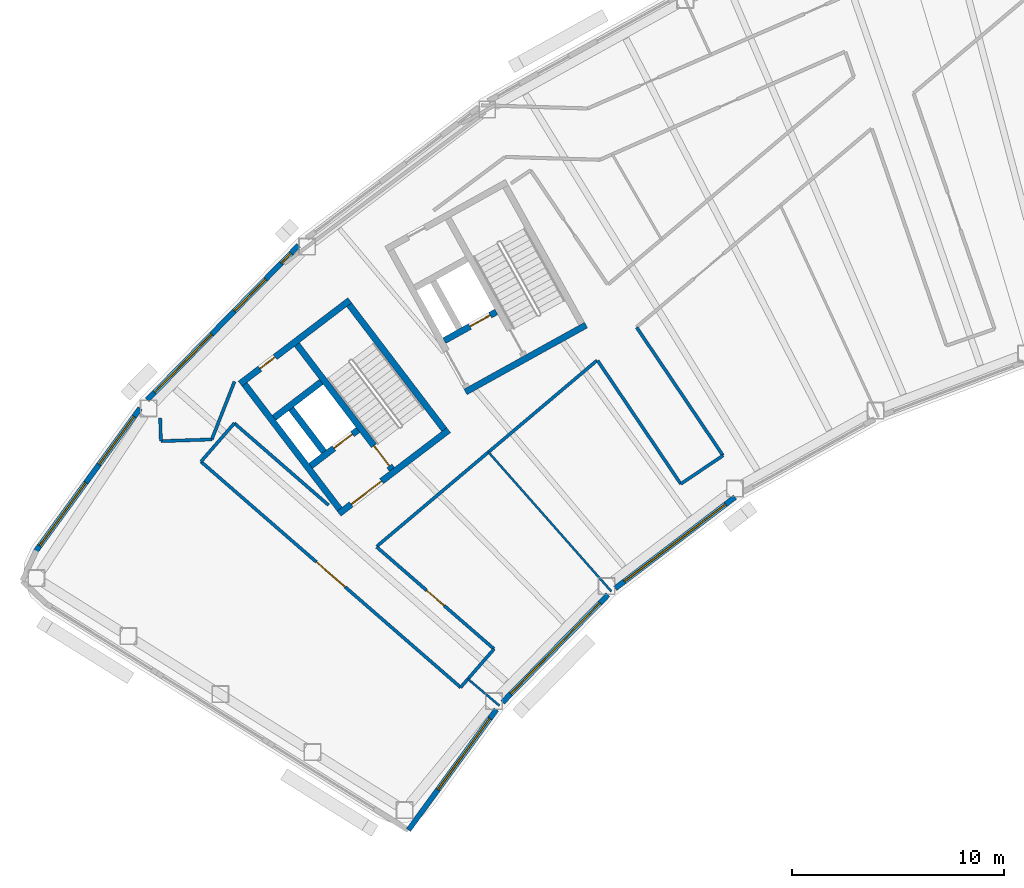
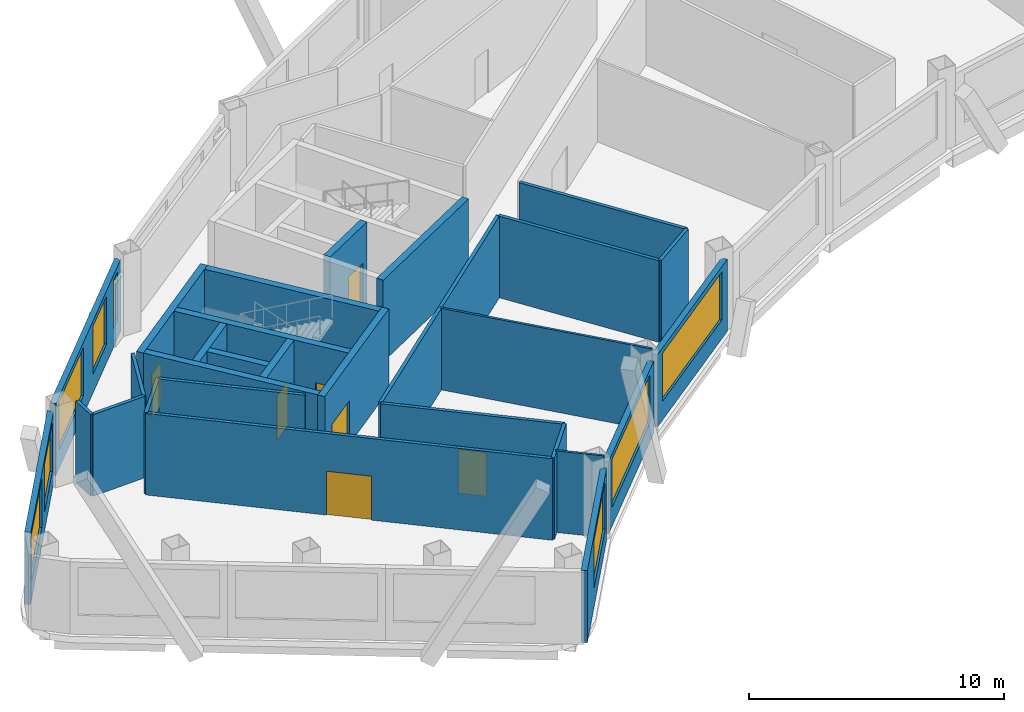
# One storey, part 5 of 14: 29 walls, 8 windows, 7 doors, 15 openings.
"""IFC4 building model written with IfcOpenShell, lengths in metres."""

from ifc_helpers import new_model, si_unit, direction, frame, frame_2d, origin, place, context, subcontext, project, spatial, rectangle, extrude, material, layer, layer_set, type_object, element, fill, save


model = new_model("IFC4")

# Units and contexts
model_context = context("Model", 3, precision=1e-05, world=origin(), true_north=direction((0.0, 1.0)))
body_context = subcontext(model_context, "Body", "Model", "MODEL_VIEW")
ifc_project = project(units=[si_unit("LENGTHUNIT", "METRE"), si_unit("AREAUNIT", "SQUARE_METRE"), si_unit("VOLUMEUNIT", "CUBIC_METRE"), si_unit("PLANEANGLEUNIT", "RADIAN"), si_unit("MASSUNIT", "GRAM", prefix="KILO")], contexts=[model_context])

# Site, building, storey
site_placement = place(None, origin())
site = spatial("IfcSite", under=ifc_project, at=site_placement, CompositionType="ELEMENT")
building_placement = place(site_placement, origin())
building = spatial("IfcBuilding", under=site, at=building_placement, Name="Tuul Gate Civic Tower", CompositionType="ELEMENT")
storey_placement = place(building_placement, frame((0.0, 0.0, 256.800048828125)))
storey = spatial("IfcBuildingStorey", under=building, at=storey_placement, Name="Level 58", CompositionType="ELEMENT", Elevation=256.800048828125)

# Wall, opening, door
ifc_material_1 = material(Name="Concrete C50/60", Category="concrete")
ifc_layer_1 = layer(ifc_material_1, 0.300048828125)
ifc_layer_set_1 = layer_set([ifc_layer_1], Name="Concrete C50/60")
wall_type_1 = type_object("IfcWallType", Name="Core wall C50/60", PredefinedType="SHEAR", material=ifc_layer_set_1)
wall_1_placement = place(storey_placement, frame((-31.19091796875, -13.669677734375, 0.0), z_axis=(0.0, 0.0, 1.0), x_axis=(-0.795606717756, -0.605813461934, 0.0)))
wall_1 = element("IfcWall", 1, at=wall_1_placement, inside=storey, type_object=wall_type_1, Name="Core wall", PredefinedType="SHEAR", context=body_context, shape_type="SweptSolid", body=[
    extrude(rectangle(XDim=6.5, YDim=0.300048828125, at=frame_2d((3.25, 0.0))), origin(), (0.0, 0.0, 1.0), 3.89990234375),
])
opening_1_placement = place(wall_1_placement, frame((3.97509765625, 0.0, 0.0)))
opening_1 = element("IfcOpeningElement", 2, at=opening_1_placement, cuts=wall_1, Name="Opening LB-W1-LOBBY-1", PredefinedType="OPENING", context=body_context, shape_type="SweptSolid", body=[
    extrude(rectangle(XDim=1.800048828125, YDim=2.10009765625, at=frame_2d((0.89990234375, 1.050048828125))), frame((0.0, 0.16015625, 0.0), z_axis=(0.0, -1.0, 0.0), x_axis=(1.0, 0.0, 0.0)), (0.0, 0.0, 1.0), 0.320068359375),
])
ifc_material_2 = material(Name="Steel", Category="steel")
door_type_1 = type_object("IfcDoorType", Name="Lobby door", OperationType="DOUBLE_DOOR_SINGLE_SWING", PredefinedType="DOOR", material=ifc_material_2)
door_1_placement = place(opening_1_placement, origin())
door_1 = element("IfcDoor", 3, at=door_1_placement, inside=storey, type_object=door_type_1, Name="Lobby door W1-LOBBY", OperationType="DOUBLE_DOOR_SINGLE_SWING", OverallHeight=2.10009765625, OverallWidth=1.800048828125, PredefinedType="DOOR", context=body_context, shape_type="SweptSolid", body=[
    extrude(rectangle(XDim=1.800048828125, YDim=2.10009765625, at=frame_2d((0.89990234375, 1.050048828125))), frame((0.0, 0.02490234375, 0.0), z_axis=(0.0, -1.0, 0.0), x_axis=(1.0, 0.0, 0.0)), (0.0, 0.0, 1.0), 0.050048828125),
])
fill(opening_1, door_1)

wall_2_placement = place(storey_placement, frame((-35.470947265625, -13.66064453125, 0.0), z_axis=(0.0, 0.0, 1.0), x_axis=(-0.795615822227, -0.605801504968, 0.0)))
wall_2 = element("IfcWall", 4, at=wall_2_placement, inside=storey, type_object=wall_type_1, Name="Core wall", PredefinedType="SHEAR", context=body_context, shape_type="SweptSolid", body=[
    extrude(rectangle(XDim=2.800048828125, YDim=0.300048828125, at=frame_2d((1.39990234375, 0.0))), origin(), (0.0, 0.0, 1.0), 3.89990234375),
])
opening_2_placement = place(wall_2_placement, frame((0.324951171875, 0.0, 0.0)))
opening_2 = element("IfcOpeningElement", 5, at=opening_2_placement, cuts=wall_2, Name="Opening LD-H1", PredefinedType="OPENING", context=body_context, shape_type="SweptSolid", body=[
    extrude(rectangle(XDim=1.10009765625, YDim=2.10009765625, at=frame_2d((0.550048828125, 1.050048828125))), frame((0.0, 0.16015625, 0.0), z_axis=(0.0, -1.0, 0.0), x_axis=(1.0, 0.0, 0.0)), (0.0, 0.0, 1.0), 0.320068359375),
])
ifc_material_3 = material(Name="Stainless steel", Category="steel")
door_type_2 = type_object("IfcDoorType", Name="Landing door", OperationType="DOUBLE_DOOR_SLIDING", PredefinedType="DOOR", material=ifc_material_3)
door_2_placement = place(opening_2_placement, origin())
door_2 = element("IfcDoor", 6, at=door_2_placement, inside=storey, type_object=door_type_2, Name="High-rise lift H1 landing door", OperationType="DOUBLE_DOOR_SLIDING", OverallHeight=2.10009765625, OverallWidth=1.10009765625, PredefinedType="DOOR", context=body_context, shape_type="SweptSolid", body=[
    extrude(rectangle(XDim=1.10009765625, YDim=2.10009765625, at=frame_2d((0.550048828125, 1.050048828125))), frame((0.0, 0.02490234375, 0.0), z_axis=(0.0, -1.0, 0.0), x_axis=(1.0, 0.0, 0.0)), (0.0, 0.0, 1.0), 0.050048828125),
])
fill(opening_2, door_2)

# Wall
wall_3_placement = place(storey_placement, frame((-37.197509765625, -11.39306640625, 0.0), z_axis=(0.0, 0.0, 1.0), x_axis=(-0.795583820278, -0.605843531707, 0.0)))
element("IfcWall", 7, at=wall_3_placement, inside=storey, type_object=wall_type_1, Name="Core wall", PredefinedType="SHEAR", context=body_context, shape_type="SweptSolid", body=[
    extrude(rectangle(XDim=2.7998046875, YDim=0.300048828125, at=frame_2d((1.39990234375, 0.0))), origin(), (0.0, 0.0, 1.0), 3.89990234375),
])

# Wall, opening, door
wall_4_placement = place(storey_placement, frame((-35.855224609375, -7.543212890625, 0.0), z_axis=(0.0, 0.0, 1.0), x_axis=(-0.79563860527, -0.605771582202, 0.0)))
wall_4 = element("IfcWall", 8, at=wall_4_placement, inside=storey, type_object=wall_type_1, Name="Core wall", PredefinedType="SHEAR", context=body_context, shape_type="SweptSolid", body=[
    extrude(rectangle(XDim=6.5, YDim=0.300048828125, at=frame_2d((3.25, 0.0))), origin(), (0.0, 0.0, 1.0), 3.89990234375),
])
opening_3_placement = place(wall_4_placement, frame((4.425048828125, 0.0, 0.0)))
opening_3 = element("IfcOpeningElement", 9, at=opening_3_placement, cuts=wall_4, Name="Opening V-D26", PredefinedType="OPENING", context=body_context, shape_type="SweptSolid", body=[
    extrude(rectangle(XDim=0.89990234375, YDim=2.10009765625, at=frame_2d((0.449951171875, 1.050048828125))), frame((0.0, 0.16015625, 0.0), z_axis=(0.0, -1.0, 0.0), x_axis=(1.0, 0.0, 0.0)), (0.0, 0.0, 1.0), 0.320068359375),
])
ifc_material_4 = material(Name="Timber door leaf", Category="wood")
door_type_3 = type_object("IfcDoorType", Name="Door D09", OperationType="NOTDEFINED", PredefinedType="DOOR", material=ifc_material_4)
door_3_placement = place(opening_3_placement, origin())
door_3 = element("IfcDoor", 10, at=door_3_placement, inside=storey, type_object=door_type_3, Name="Door V-D26", OperationType="SINGLE_SWING_LEFT", OverallHeight=2.10009765625, OverallWidth=0.89990234375, PredefinedType="DOOR", context=body_context, shape_type="SweptSolid", body=[
    extrude(rectangle(XDim=0.89990234375, YDim=2.10009765625, at=frame_2d((0.449951171875, 1.050048828125))), frame((0.0, 0.02490234375, 0.0), z_axis=(0.0, -1.0, 0.0), x_axis=(1.0, 0.0, 0.0)), (0.0, 0.0, 1.0), 0.050048828125),
])
fill(opening_3, door_3)

# Wall
wall_5_placement = place(storey_placement, frame((-31.401123046875, -13.64111328125, 0.0), z_axis=(0.0, 0.0, 1.0), x_axis=(-0.605769822278, 0.795639945213, 0.0)))
element("IfcWall", 11, at=wall_5_placement, inside=storey, type_object=wall_type_1, Name="Core wall", PredefinedType="SHEAR", context=body_context, shape_type="SweptSolid", body=[
    extrude(rectangle(XDim=7.39990234375, YDim=0.300048828125, at=frame_2d((3.699951171875, 0.0))), origin(), (0.0, 0.0, 1.0), 3.89990234375),
])

# Wall, opening, door
wall_6_placement = place(storey_placement, frame((-33.867431640625, -15.51904296875, 0.0), z_axis=(0.0, 0.0, 1.0), x_axis=(-0.605769822278, 0.795639945213, 0.0)))
wall_6 = element("IfcWall", 12, at=wall_6_placement, inside=storey, type_object=wall_type_1, Name="Core wall", PredefinedType="SHEAR", context=body_context, shape_type="SweptSolid", body=[
    extrude(rectangle(XDim=7.39990234375, YDim=0.300048828125, at=frame_2d((3.699951171875, 0.0))), origin(), (0.0, 0.0, 1.0), 3.89990234375),
])
opening_4_placement = place(wall_6_placement, frame((0.199951171875, 0.0, 0.0)))
opening_4 = element("IfcOpeningElement", 13, at=opening_4_placement, cuts=wall_6, Name="Opening SD-ST-1", PredefinedType="OPENING", context=body_context, shape_type="SweptSolid", body=[
    extrude(rectangle(XDim=1.199951171875, YDim=2.10009765625, at=frame_2d((0.60009765625, 1.050048828125))), frame((0.0, 0.16015625, 0.0), z_axis=(0.0, -1.0, 0.0), x_axis=(1.0, 0.0, 0.0)), (0.0, 0.0, 1.0), 0.320068359375),
])
ifc_material_5 = material(Name="Steel", Category="steel")
door_type_4 = type_object("IfcDoorType", Name="Stair door", OperationType="NOTDEFINED", PredefinedType="DOOR", material=ifc_material_5)
door_4_placement = place(opening_4_placement, origin())
door_4 = element("IfcDoor", 14, at=door_4_placement, inside=storey, type_object=door_type_4, Name="Stair door ST-1", OperationType="SINGLE_SWING_LEFT", OverallHeight=2.10009765625, OverallWidth=1.199951171875, PredefinedType="DOOR", context=body_context, shape_type="SweptSolid", body=[
    extrude(rectangle(XDim=1.199951171875, YDim=2.10009765625, at=frame_2d((0.60009765625, 1.050048828125))), frame((0.0, 0.02490234375, 0.0), z_axis=(0.0, -1.0, 0.0), x_axis=(1.0, 0.0, 0.0)), (0.0, 0.0, 1.0), 0.050048828125),
])
fill(opening_4, door_4)

# Walls
wall_7_placement = place(storey_placement, frame((-37.073486328125, -14.6923828125, 0.0), z_axis=(0.0, 0.0, 1.0), x_axis=(-0.605728760074, 0.79567120673, 0.0)))
element("IfcWall", 15, at=wall_7_placement, inside=storey, type_object=wall_type_1, Name="Core wall", PredefinedType="SHEAR", context=body_context, shape_type="SweptSolid", body=[
    extrude(rectangle(XDim=2.550048828125, YDim=0.300048828125, at=frame_2d((1.27490234375, 0.0))), origin(), (0.0, 0.0, 1.0), 3.89990234375),
])
wall_8_placement = place(storey_placement, frame((-36.333984375, -17.397216796875, 0.0), z_axis=(0.0, 0.0, 1.0), x_axis=(-0.605753921168, 0.795652051458, 0.0)))
element("IfcWall", 16, at=wall_8_placement, inside=storey, type_object=wall_type_1, Name="Core wall", PredefinedType="SHEAR", context=body_context, shape_type="SweptSolid", body=[
    extrude(rectangle(XDim=7.400146484375, YDim=0.300048828125, at=frame_2d((3.7001953125, 0.0))), origin(), (0.0, 0.0, 1.0), 3.89990234375),
])
wall_9_placement = place(storey_placement, frame((-24.711669921875, -8.7158203125, 0.0), z_axis=(0.0, 0.0, 1.0), x_axis=(-0.874629909008, -0.484791215132, 0.0)))
element("IfcWall", 17, at=wall_9_placement, inside=storey, type_object=wall_type_1, Name="Core wall", PredefinedType="SHEAR", context=body_context, shape_type="SweptSolid", body=[
    extrude(rectangle(XDim=6.5, YDim=0.300048828125, at=frame_2d((3.25, 0.0))), origin(), (0.0, 0.0, 1.0), 3.89990234375),
])

# Wall, opening, door
wall_10_placement = place(storey_placement, frame((-28.94580078125, -8.090087890625, 0.0), z_axis=(0.0, 0.0, 1.0), x_axis=(-0.874629840737, -0.484791338301, 0.0)))
wall_10 = element("IfcWall", 18, at=wall_10_placement, inside=storey, type_object=wall_type_1, Name="Core wall", PredefinedType="SHEAR", context=body_context, shape_type="SweptSolid", body=[
    extrude(rectangle(XDim=2.800048828125, YDim=0.300048828125, at=frame_2d((1.39990234375, 0.0))), origin(), (0.0, 0.0, 1.0), 3.89990234375),
])
opening_5_placement = place(wall_10_placement, frame((0.324951171875, 0.0, 0.0)))
opening_5 = element("IfcOpeningElement", 19, at=opening_5_placement, cuts=wall_10, Name="Opening LD-FF-1", PredefinedType="OPENING", context=body_context, shape_type="SweptSolid", body=[
    extrude(rectangle(XDim=1.10009765625, YDim=2.10009765625, at=frame_2d((0.550048828125, 1.050048828125))), frame((0.0, 0.16015625, 0.0), z_axis=(0.0, -1.0, 0.0), x_axis=(1.0, 0.0, 0.0)), (0.0, 0.0, 1.0), 0.320068359375),
])
door_5_placement = place(opening_5_placement, origin())
door_5 = element("IfcDoor", 20, at=door_5_placement, inside=storey, type_object=door_type_2, Name="Fire-fighting lift FF-1 landing door", OperationType="DOUBLE_DOOR_SLIDING", OverallHeight=2.10009765625, OverallWidth=1.10009765625, PredefinedType="DOOR", context=body_context, shape_type="SweptSolid", body=[
    extrude(rectangle(XDim=1.10009765625, YDim=2.10009765625, at=frame_2d((0.550048828125, 1.050048828125))), frame((0.0, 0.02490234375, 0.0), z_axis=(0.0, -1.0, 0.0), x_axis=(1.0, 0.0, 0.0)), (0.0, 0.0, 1.0), 0.050048828125),
])
fill(opening_5, door_5)

# Walls
ifc_material_6 = material(Name="Gypsum board partition")
ifc_layer_2 = layer(ifc_material_6, 0.14990234375)
ifc_layer_set_2 = layer_set([ifc_layer_2], Name="Gypsum board partition")
wall_type_2 = type_object("IfcWallType", Name="Corridor wall P150", PredefinedType="PARTITIONING", material=ifc_layer_set_2)
wall_11_placement = place(storey_placement, frame((-44.76220703125, -14.189453125, 0.0), z_axis=(0.0, 0.0, 1.0), x_axis=(0.999429560853, 0.033772072692, 0.0)))
element("IfcWall", 21, at=wall_11_placement, inside=storey, type_object=wall_type_2, Name="p039", PredefinedType="PARTITIONING", context=body_context, shape_type="SweptSolid", body=[
    extrude(rectangle(XDim=2.400146484375, YDim=0.14990234375, at=frame_2d((1.2001953125, 0.0))), origin(), (0.0, 0.0, 1.0), 3.89990234375),
])
wall_12_placement = place(storey_placement, frame((-42.363525390625, -14.1083984375, 0.0), z_axis=(0.0, 0.0, 1.0), x_axis=(0.365551849377, 0.930790978371, 0.0)))
element("IfcWall", 22, at=wall_12_placement, inside=storey, type_object=wall_type_2, Name="p040", PredefinedType="PARTITIONING", context=body_context, shape_type="SweptSolid", body=[
    extrude(rectangle(XDim=2.9306640625, YDim=0.14990234375, at=frame_2d((1.46533203125, 0.0))), origin(), (0.0, 0.0, 1.0), 3.89990234375),
])
wall_13_placement = place(storey_placement, frame((-41.29931640625, -13.344482421875, 0.0), z_axis=(0.0, 0.0, 1.0), x_axis=(0.754705532199, -0.65606368568, 0.0)))
element("IfcWall", 23, at=wall_13_placement, inside=storey, type_object=wall_type_2, Name="p041", PredefinedType="PARTITIONING", context=body_context, shape_type="SweptSolid", body=[
    extrude(rectangle(XDim=5.885498046875, YDim=0.14990234375, at=frame_2d((2.94287109375, 0.0))), origin(), (0.0, 0.0, 1.0), 3.89990234375),
])

# Wall, opening, door
wall_14_placement = place(storey_placement, frame((-34.58203125, -19.183837890625, 0.0), z_axis=(0.0, 0.0, 1.0), x_axis=(0.7547087962, -0.656059930904, 0.0)))
wall_14 = element("IfcWall", 24, at=wall_14_placement, inside=storey, type_object=wall_type_2, Name="p042", PredefinedType="PARTITIONING", context=body_context, shape_type="SweptSolid", body=[
    extrude(rectangle(XDim=7.328125, YDim=0.14990234375, at=frame_2d((3.6640625, 0.0))), origin(), (0.0, 0.0, 1.0), 3.89990234375),
])
opening_6_placement = place(wall_14_placement, frame((3.114013671875, 0.0, 0.0)))
opening_6 = element("IfcOpeningElement", 25, at=opening_6_placement, cuts=wall_14, Name="Opening V-D15", PredefinedType="OPENING", context=body_context, shape_type="SweptSolid", body=[
    extrude(rectangle(XDim=1.10009765625, YDim=2.10009765625, at=frame_2d((0.550048828125, 1.050048828125))), frame((0.0, 0.0849609375, 0.0), z_axis=(0.0, -1.0, 0.0), x_axis=(1.0, 0.0, 0.0)), (0.0, 0.0, 1.0), 0.169921875),
])
ifc_material_7 = material(Name="Timber door leaf", Category="wood")
door_type_5 = type_object("IfcDoorType", Name="Door D11", OperationType="NOTDEFINED", PredefinedType="DOOR", material=ifc_material_7)
door_6_placement = place(opening_6_placement, origin())
door_6 = element("IfcDoor", 26, at=door_6_placement, inside=storey, type_object=door_type_5, Name="Door V-D15", OperationType="SINGLE_SWING_RIGHT", OverallHeight=2.10009765625, OverallWidth=1.10009765625, PredefinedType="DOOR", context=body_context, shape_type="SweptSolid", body=[
    extrude(rectangle(XDim=1.10009765625, YDim=2.10009765625, at=frame_2d((0.550048828125, 1.050048828125))), frame((0.0, 0.02490234375, 0.0), z_axis=(0.0, -1.0, 0.0), x_axis=(1.0, 0.0, 0.0)), (0.0, 0.0, 1.0), 0.050048828125),
])
fill(opening_6, door_6)

# Wall
wall_15_placement = place(storey_placement, frame((-42.873779296875, -15.15576171875, 0.0), z_axis=(0.0, 0.0, 1.0), x_axis=(0.656045220604, 0.754721583448, 0.0)))
element("IfcWall", 27, at=wall_15_placement, inside=storey, type_object=wall_type_2, Name="p043", PredefinedType="PARTITIONING", context=body_context, shape_type="SweptSolid", body=[
    extrude(rectangle(XDim=2.39990234375, YDim=0.14990234375, at=frame_2d((1.199951171875, 0.0))), origin(), (0.0, 0.0, 1.0), 3.89990234375),
])

# Wall, opening, door
wall_16_placement = place(storey_placement, frame((-42.873779296875, -15.15576171875, 0.0), z_axis=(0.0, 0.0, 1.0), x_axis=(0.754711415152, -0.65605691814, 0.0)))
wall_16 = element("IfcWall", 28, at=wall_16_placement, inside=storey, type_object=wall_type_2, Name="p044", PredefinedType="PARTITIONING", context=body_context, shape_type="SweptSolid", body=[
    extrude(rectangle(XDim=16.22900390625, YDim=0.14990234375, at=frame_2d((8.114501953125, 0.0))), origin(), (0.0, 0.0, 1.0), 3.89990234375),
])
opening_7_placement = place(wall_16_placement, frame((7.214599609375, 0.0, 0.0)))
opening_7 = element("IfcOpeningElement", 29, at=opening_7_placement, cuts=wall_16, Name="Opening V-D07", PredefinedType="OPENING", context=body_context, shape_type="SweptSolid", body=[
    extrude(rectangle(XDim=1.800048828125, YDim=2.10009765625, at=frame_2d((0.89990234375, 1.050048828125))), frame((0.0, 0.0849609375, 0.0), z_axis=(0.0, -1.0, 0.0), x_axis=(1.0, 0.0, 0.0)), (0.0, 0.0, 1.0), 0.169921875),
])
ifc_material_8 = material(Name="Timber door leaf, double", Category="wood")
door_type_6 = type_object("IfcDoorType", Name="Door D18", OperationType="DOUBLE_DOOR_SINGLE_SWING", PredefinedType="DOOR", material=ifc_material_8)
door_7_placement = place(opening_7_placement, frame((1.800048828125, 0.0, 0.0), z_axis=(0.0, 0.0, 1.0), x_axis=(-1.0, 0.0, 0.0)))
door_7 = element("IfcDoor", 30, at=door_7_placement, inside=storey, type_object=door_type_6, Name="Door V-D07", OperationType="DOUBLE_DOOR_SINGLE_SWING", OverallHeight=2.10009765625, OverallWidth=1.800048828125, PredefinedType="DOOR", context=body_context, shape_type="SweptSolid", body=[
    extrude(rectangle(XDim=1.800048828125, YDim=2.10009765625, at=frame_2d((0.900146484375, 1.050048828125))), frame((0.0, 0.02490234375, 0.0), z_axis=(0.0, -1.0, 0.0), x_axis=(1.0, 0.0, 0.0)), (0.0, 0.0, 1.0), 0.050048828125),
])
fill(opening_7, door_7)

# Walls
wall_17_placement = place(storey_placement, frame((-30.62548828125, -25.802978515625, 0.0), z_axis=(0.0, 0.0, 1.0), x_axis=(0.655979683466, 0.754778546913, 0.0)))
element("IfcWall", 31, at=wall_17_placement, inside=storey, type_object=wall_type_2, Name="p045", PredefinedType="PARTITIONING", context=body_context, shape_type="SweptSolid", body=[
    extrude(rectangle(XDim=2.3994140625, YDim=0.14990234375, at=frame_2d((1.19970703125, 0.0))), origin(), (0.0, 0.0, 1.0), 3.89990234375),
])
wall_18_placement = place(storey_placement, frame((-44.799072265625, -13.10107421875, 0.0), z_axis=(0.0, 0.0, 1.0), x_axis=(0.033852277693, -0.999426847396, 0.0)))
element("IfcWall", 32, at=wall_18_placement, inside=storey, type_object=wall_type_2, Name="p046", PredefinedType="PARTITIONING", context=body_context, shape_type="SweptSolid", body=[
    extrude(rectangle(XDim=1.089111328125, YDim=0.14990234375, at=frame_2d((0.54443359375, 0.0))), origin(), (0.0, 0.0, 1.0), 3.89990234375),
])
wall_19_placement = place(storey_placement, frame((-34.581787109375, -19.1533203125, 0.0), z_axis=(0.0, 0.0, 1.0), x_axis=(0.764037195411, 0.645172197192, 0.0)))
element("IfcWall", 33, at=wall_19_placement, inside=storey, type_object=wall_type_2, Name="p069", PredefinedType="PARTITIONING", context=body_context, shape_type="SweptSolid", body=[
    extrude(rectangle(XDim=13.593017578125, YDim=0.14990234375, at=frame_2d((6.79638671875, 0.0))), origin(), (0.0, 0.0, 1.0), 3.89990234375),
])
wall_20_placement = place(storey_placement, frame((-24.166748046875, -10.3876953125, 0.0), z_axis=(0.0, 0.0, 1.0), x_axis=(0.559210603637, -0.829025633367, 0.0)))
element("IfcWall", 34, at=wall_20_placement, inside=storey, type_object=wall_type_2, Name="p078", PredefinedType="PARTITIONING", context=body_context, shape_type="SweptSolid", body=[
    extrude(rectangle(XDim=7.019775390625, YDim=0.14990234375, at=frame_2d((3.509765625, 0.0))), origin(), (0.0, 0.0, 1.0), 3.89990234375),
])
wall_21_placement = place(storey_placement, frame((-20.24072265625, -16.20751953125, 0.0), z_axis=(0.0, 0.0, 1.0), x_axis=(0.829047992884, 0.559177454388, 0.0)))
element("IfcWall", 35, at=wall_21_placement, inside=storey, type_object=wall_type_2, Name="p079", PredefinedType="PARTITIONING", context=body_context, shape_type="SweptSolid", body=[
    extrude(rectangle(XDim=2.399169921875, YDim=0.14990234375, at=frame_2d((1.19970703125, 0.0))), origin(), (0.0, 0.0, 1.0), 3.89990234375),
])
wall_22_placement = place(storey_placement, frame((-22.32470703125, -8.826416015625, 0.0), z_axis=(0.0, 0.0, 1.0), x_axis=(0.559170600048, -0.829052615967, 0.0)))
element("IfcWall", 36, at=wall_22_placement, inside=storey, type_object=wall_type_2, Name="p081", PredefinedType="PARTITIONING", context=body_context, shape_type="SweptSolid", body=[
    extrude(rectangle(XDim=7.283935546875, YDim=0.14990234375, at=frame_2d((3.64208984375, 0.0))), origin(), (0.0, 0.0, 1.0), 3.89990234375),
])

# Wall, openings, windows
ifc_material_9 = material(Name="Precast concrete C40/50", Category="concrete")
ifc_layer_3 = layer(ifc_material_9, 0.25)
ifc_layer_set_3 = layer_set([ifc_layer_3], Name="Precast concrete C40/50")
wall_type_3 = type_object("IfcWallType", Name="External wall", PredefinedType="STANDARD", material=ifc_layer_set_3)
wall_23_placement = place(storey_placement, frame((-38.26708984375, -4.960693359375, 0.0), z_axis=(0.0, 0.0, 1.0), x_axis=(-0.699995514974, -0.714147239031, 0.0)))
wall_23 = element("IfcWall", 37, at=wall_23_placement, inside=storey, type_object=wall_type_3, Name="External wall", PredefinedType="STANDARD", context=body_context, shape_type="SweptSolid", body=[
    extrude(rectangle(XDim=10.19580078125, YDim=0.25, at=frame_2d((5.097900390625, 0.0))), origin(), (0.0, 0.0, 1.0), 3.449951171875),
])
opening_8_placement = place(wall_23_placement, frame((5.85888671875, 0.0, 0.89990234375)))
opening_8 = element("IfcOpeningElement", 38, at=opening_8_placement, cuts=wall_23, Name="Opening W22", PredefinedType="OPENING", context=body_context, shape_type="SweptSolid", body=[
    extrude(rectangle(XDim=3.85009765625, YDim=2.300048828125, at=frame_2d((1.925048828125, 1.14990234375))), frame((0.0, 0.135009765625, 0.0), z_axis=(0.0, -1.0, 0.0), x_axis=(1.0, 0.0, 0.0)), (0.0, 0.0, 1.0), 0.27001953125),
])
opening_9_placement = place(wall_23_placement, frame((0.51904296875, 0.0, 0.89990234375)))
opening_9 = element("IfcOpeningElement", 39, at=opening_9_placement, cuts=wall_23, Name="Opening W31", PredefinedType="OPENING", context=body_context, shape_type="SweptSolid", body=[
    extrude(rectangle(XDim=0.64990234375, YDim=2.300048828125, at=frame_2d((0.324951171875, 1.14990234375))), frame((0.0, 0.135009765625, 0.0), z_axis=(0.0, -1.0, 0.0), x_axis=(1.0, 0.0, 0.0)), (0.0, 0.0, 1.0), 0.27001953125),
])
opening_10_placement = place(wall_23_placement, frame((2.229736328125, 0.0, 0.89990234375)))
opening_10 = element("IfcOpeningElement", 40, at=opening_10_placement, cuts=wall_23, Name="Opening W40", PredefinedType="OPENING", context=body_context, shape_type="SweptSolid", body=[
    extrude(rectangle(XDim=2.10009765625, YDim=2.300048828125, at=frame_2d((1.050048828125, 1.14990234375))), frame((0.0, 0.135009765625, 0.0), z_axis=(0.0, -1.0, 0.0), x_axis=(1.0, 0.0, 0.0)), (0.0, 0.0, 1.0), 0.27001953125),
])
ifc_material_10 = material(Name="Glass", Category="glass")
window_type_1 = type_object("IfcWindowType", Name="Window 2100 x 2300", PartitioningType="SINGLE_PANEL", PredefinedType="WINDOW", material=ifc_material_10)
window_1_placement = place(opening_10_placement, origin())
window_1 = element("IfcWindow", 41, at=window_1_placement, inside=storey, type_object=window_type_1, Name="Window", OverallHeight=2.300048828125, OverallWidth=2.10009765625, PartitioningType="SINGLE_PANEL", PredefinedType="WINDOW", context=body_context, shape_type="SweptSolid", body=[
    extrude(rectangle(XDim=2.10009765625, YDim=2.300048828125, at=frame_2d((1.050048828125, 1.14990234375))), frame((0.0, 0.030029296875, 0.0), z_axis=(0.0, -1.0, 0.0), x_axis=(1.0, 0.0, 0.0)), (0.0, 0.0, 1.0), 0.06005859375),
])
fill(opening_10, window_1)
ifc_material_11 = material(Name="Glass", Category="glass")
window_type_2 = type_object("IfcWindowType", Name="Window 650 x 2300", PartitioningType="SINGLE_PANEL", PredefinedType="WINDOW", material=ifc_material_11)
window_2_placement = place(opening_9_placement, origin())
window_2 = element("IfcWindow", 42, at=window_2_placement, inside=storey, type_object=window_type_2, Name="Window", OverallHeight=2.300048828125, OverallWidth=0.64990234375, PartitioningType="SINGLE_PANEL", PredefinedType="WINDOW", context=body_context, shape_type="SweptSolid", body=[
    extrude(rectangle(XDim=0.64990234375, YDim=2.300048828125, at=frame_2d((0.324951171875, 1.14990234375))), frame((0.0, 0.030029296875, 0.0), z_axis=(0.0, -1.0, 0.0), x_axis=(1.0, 0.0, 0.0)), (0.0, 0.0, 1.0), 0.06005859375),
])
fill(opening_9, window_2)
ifc_material_12 = material(Name="Glass", Category="glass")
window_type_3 = type_object("IfcWindowType", Name="Window W22 3850 x 2300", PartitioningType="SINGLE_PANEL", PredefinedType="WINDOW", material=ifc_material_12)
window_3_placement = place(opening_8_placement, origin())
window_3 = element("IfcWindow", 43, at=window_3_placement, inside=storey, type_object=window_type_3, Name="Window", OverallHeight=2.300048828125, OverallWidth=3.85009765625, PartitioningType="SINGLE_PANEL", PredefinedType="WINDOW", context=body_context, shape_type="SweptSolid", body=[
    extrude(rectangle(XDim=3.85009765625, YDim=2.300048828125, at=frame_2d((1.925048828125, 1.14990234375))), frame((0.0, 0.030029296875, 0.0), z_axis=(0.0, -1.0, 0.0), x_axis=(1.0, 0.0, 0.0)), (0.0, 0.0, 1.0), 0.06005859375),
])
fill(opening_8, window_3)

wall_24_placement = place(storey_placement, frame((-45.740966796875, -12.638671875, 0.0), z_axis=(0.0, 0.0, 1.0), x_axis=(-0.589821256366, -0.807533829346, 0.0)))
wall_24 = element("IfcWall", 44, at=wall_24_placement, inside=storey, type_object=wall_type_3, Name="External wall", PredefinedType="STANDARD", context=body_context, shape_type="SweptSolid", body=[
    extrude(rectangle(XDim=8.33642578125, YDim=0.25, at=frame_2d((4.168212890625, 0.0))), origin(), (0.0, 0.0, 1.0), 3.449951171875),
])
opening_11_placement = place(wall_24_placement, frame((0.484619140625, 0.0, 0.89990234375)))
opening_11 = element("IfcOpeningElement", 45, at=opening_11_placement, cuts=wall_24, Name="Opening W23", PredefinedType="OPENING", context=body_context, shape_type="SweptSolid", body=[
    extrude(rectangle(XDim=2.800048828125, YDim=2.300048828125, at=frame_2d((1.39990234375, 1.14990234375))), frame((0.0, 0.135009765625, 0.0), z_axis=(0.0, -1.0, 0.0), x_axis=(1.0, 0.0, 0.0)), (0.0, 0.0, 1.0), 0.27001953125),
])
opening_12_placement = place(wall_24_placement, frame((4.3359375, 0.0, 0.89990234375)))
opening_12 = element("IfcOpeningElement", 46, at=opening_12_placement, cuts=wall_24, Name="Opening W21", PredefinedType="OPENING", context=body_context, shape_type="SweptSolid", body=[
    extrude(rectangle(XDim=3.699951171875, YDim=2.300048828125, at=frame_2d((1.85009765625, 1.14990234375))), frame((0.0, 0.135009765625, 0.0), z_axis=(0.0, -1.0, 0.0), x_axis=(1.0, 0.0, 0.0)), (0.0, 0.0, 1.0), 0.27001953125),
])
ifc_material_13 = material(Name="Glass", Category="glass")
window_type_4 = type_object("IfcWindowType", Name="Window W21 3700 x 2300", PartitioningType="SINGLE_PANEL", PredefinedType="WINDOW", material=ifc_material_13)
window_4_placement = place(opening_12_placement, origin())
window_4 = element("IfcWindow", 47, at=window_4_placement, inside=storey, type_object=window_type_4, Name="Window", OverallHeight=2.300048828125, OverallWidth=3.699951171875, PartitioningType="SINGLE_PANEL", PredefinedType="WINDOW", context=body_context, shape_type="SweptSolid", body=[
    extrude(rectangle(XDim=3.699951171875, YDim=2.300048828125, at=frame_2d((1.85009765625, 1.14990234375))), frame((0.0, 0.030029296875, 0.0), z_axis=(0.0, -1.0, 0.0), x_axis=(1.0, 0.0, 0.0)), (0.0, 0.0, 1.0), 0.06005859375),
])
fill(opening_12, window_4)
ifc_material_14 = material(Name="Glass", Category="glass")
window_type_5 = type_object("IfcWindowType", Name="Window W23 2800 x 2300", PartitioningType="SINGLE_PANEL", PredefinedType="WINDOW", material=ifc_material_14)
window_5_placement = place(opening_11_placement, origin())
window_5 = element("IfcWindow", 48, at=window_5_placement, inside=storey, type_object=window_type_5, Name="Window", OverallHeight=2.300048828125, OverallWidth=2.800048828125, PartitioningType="SINGLE_PANEL", PredefinedType="WINDOW", context=body_context, shape_type="SweptSolid", body=[
    extrude(rectangle(XDim=2.800048828125, YDim=2.300048828125, at=frame_2d((1.39990234375, 1.14990234375))), frame((0.0, 0.030029296875, 0.0), z_axis=(0.0, -1.0, 0.0), x_axis=(1.0, 0.0, 0.0)), (0.0, 0.0, 1.0), 0.06005859375),
])
fill(opening_11, window_5)

# Wall, opening, window
wall_25_placement = place(storey_placement, frame((-33.088623046875, -32.53173828125, 0.0), z_axis=(0.0, 0.0, 1.0), x_axis=(0.589734649771, 0.807597079526, 0.0)))
wall_25 = element("IfcWall", 49, at=wall_25_placement, inside=storey, type_object=wall_type_3, Name="External wall", PredefinedType="STANDARD", context=body_context, shape_type="SweptSolid", body=[
    extrude(rectangle(XDim=7.03515625, YDim=0.25, at=frame_2d((3.517578125, 0.0))), origin(), (0.0, 0.0, 1.0), 3.449951171875),
])
opening_13_placement = place(wall_25_placement, frame((2.357666015625, 0.0, 0.89990234375)))
opening_13 = element("IfcOpeningElement", 50, at=opening_13_placement, cuts=wall_25, Name="Opening W25", PredefinedType="OPENING", context=body_context, shape_type="SweptSolid", body=[
    extrude(rectangle(XDim=4.14990234375, YDim=2.300048828125, at=frame_2d((2.074951171875, 1.14990234375))), frame((0.0, 0.135009765625, 0.0), z_axis=(0.0, -1.0, 0.0), x_axis=(1.0, 0.0, 0.0)), (0.0, 0.0, 1.0), 0.27001953125),
])
ifc_material_15 = material(Name="Glass", Category="glass")
window_type_6 = type_object("IfcWindowType", Name="Window W25 4150 x 2300", PartitioningType="SINGLE_PANEL", PredefinedType="WINDOW", material=ifc_material_15)
window_6_placement = place(opening_13_placement, origin())
window_6 = element("IfcWindow", 51, at=window_6_placement, inside=storey, type_object=window_type_6, Name="Window", OverallHeight=2.300048828125, OverallWidth=4.14990234375, PartitioningType="SINGLE_PANEL", PredefinedType="WINDOW", context=body_context, shape_type="SweptSolid", body=[
    extrude(rectangle(XDim=4.14990234375, YDim=2.300048828125, at=frame_2d((2.074951171875, 1.14990234375))), frame((0.0, 0.030029296875, 0.0), z_axis=(0.0, -1.0, 0.0), x_axis=(1.0, 0.0, 0.0)), (0.0, 0.0, 1.0), 0.06005859375),
])
fill(opening_13, window_6)

wall_26_placement = place(storey_placement, frame((-28.64990234375, -26.50634765625, 0.0), z_axis=(0.0, 0.0, 1.0), x_axis=(0.700015105418, 0.714128036269, 0.0)))
wall_26 = element("IfcWall", 52, at=wall_26_placement, inside=storey, type_object=wall_type_3, Name="External wall", PredefinedType="STANDARD", context=body_context, shape_type="SweptSolid", body=[
    extrude(rectangle(XDim=7.10986328125, YDim=0.25, at=frame_2d((3.554931640625, 0.0))), origin(), (0.0, 0.0, 1.0), 3.449951171875),
])
opening_14_placement = place(wall_26_placement, frame((0.555908203125, 0.0, 0.89990234375)))
opening_14 = element("IfcOpeningElement", 53, at=opening_14_placement, cuts=wall_26, Name="Opening W26", PredefinedType="OPENING", context=body_context, shape_type="SweptSolid", body=[
    extrude(rectangle(XDim=6.0, YDim=2.300048828125, at=frame_2d((3.0, 1.14990234375))), frame((0.0, 0.135009765625, 0.0), z_axis=(0.0, -1.0, 0.0), x_axis=(1.0, 0.0, 0.0)), (0.0, 0.0, 1.0), 0.27001953125),
])
ifc_material_16 = material(Name="Glass", Category="glass")
window_type_7 = type_object("IfcWindowType", Name="Window W26 6000 x 2300", PartitioningType="SINGLE_PANEL", PredefinedType="WINDOW", material=ifc_material_16)
window_7_placement = place(opening_14_placement, origin())
window_7 = element("IfcWindow", 54, at=window_7_placement, inside=storey, type_object=window_type_7, Name="Window", OverallHeight=2.300048828125, OverallWidth=6.0, PartitioningType="SINGLE_PANEL", PredefinedType="WINDOW", context=body_context, shape_type="SweptSolid", body=[
    extrude(rectangle(XDim=6.0, YDim=2.300048828125, at=frame_2d((3.0, 1.14990234375))), frame((0.0, 0.030029296875, 0.0), z_axis=(0.0, -1.0, 0.0), x_axis=(1.0, 0.0, 0.0)), (0.0, 0.0, 1.0), 0.06005859375),
])
fill(opening_14, window_7)

wall_27_placement = place(storey_placement, frame((-23.3359375, -21.133056640625, 0.0), z_axis=(0.0, 0.0, 1.0), x_axis=(0.795636022241, 0.605774974815, 0.0)))
wall_27 = element("IfcWall", 55, at=wall_27_placement, inside=storey, type_object=wall_type_3, Name="External wall", PredefinedType="STANDARD", context=body_context, shape_type="SweptSolid", body=[
    extrude(rectangle(XDim=7.103271484375, YDim=0.25, at=frame_2d((3.5517578125, 0.0))), origin(), (0.0, 0.0, 1.0), 3.449951171875),
])
opening_15_placement = place(wall_27_placement, frame((0.540771484375, 0.0, 0.89990234375)))
opening_15 = element("IfcOpeningElement", 56, at=opening_15_placement, cuts=wall_27, Name="Opening W26", PredefinedType="OPENING", context=body_context, shape_type="SweptSolid", body=[
    extrude(rectangle(XDim=6.0, YDim=2.300048828125, at=frame_2d((3.0, 1.14990234375))), frame((0.0, 0.135009765625, 0.0), z_axis=(0.0, -1.0, 0.0), x_axis=(1.0, 0.0, 0.0)), (0.0, 0.0, 1.0), 0.27001953125),
])
window_8_placement = place(opening_15_placement, origin())
window_8 = element("IfcWindow", 57, at=window_8_placement, inside=storey, type_object=window_type_7, Name="Window", OverallHeight=2.300048828125, OverallWidth=6.0, PartitioningType="SINGLE_PANEL", PredefinedType="WINDOW", context=body_context, shape_type="SweptSolid", body=[
    extrude(rectangle(XDim=6.0, YDim=2.300048828125, at=frame_2d((3.0, 1.14990234375))), frame((0.0, 0.030029296875, 0.0), z_axis=(0.0, -1.0, 0.0), x_axis=(1.0, 0.0, 0.0)), (0.0, 0.0, 1.0), 0.06005859375),
])
fill(opening_15, window_8)

# Walls
ifc_material_17 = material(Name="Gypsum board partition")
ifc_layer_4 = layer(ifc_material_17, 0.10009765625)
ifc_layer_set_4 = layer_set([ifc_layer_4], Name="Gypsum board partition")
wall_type_4 = type_object("IfcWallType", Name="Partition P100", PredefinedType="PARTITIONING", material=ifc_layer_set_4)
wall_28_placement = place(storey_placement, frame((-30.28125, -25.40673828125, 0.0), z_axis=(0.0, 0.0, 1.0), x_axis=(0.762781194193, -0.646656670719, 0.0)))
element("IfcWall", 58, at=wall_28_placement, inside=storey, type_object=wall_type_4, Name="p038", PredefinedType="PARTITIONING", context=body_context, shape_type="SweptSolid", body=[
    extrude(rectangle(XDim=1.94482421875, YDim=0.10009765625, at=frame_2d((0.972412109375, 0.0))), origin(), (0.0, 0.0, 1.0), 3.89990234375),
])
wall_29_placement = place(storey_placement, frame((-29.3154296875, -14.706298828125, 0.0), z_axis=(0.0, 0.0, 1.0), x_axis=(0.661674155248, -0.74979151254, 0.0)))
element("IfcWall", 59, at=wall_29_placement, inside=storey, type_object=wall_type_4, Name="p077", PredefinedType="PARTITIONING", context=body_context, shape_type="SweptSolid", body=[
    extrude(rectangle(XDim=8.763427734375, YDim=0.10009765625, at=frame_2d((4.3818359375, 0.0))), origin(), (0.0, 0.0, 1.0), 3.89990234375),
])

save(model, "model.ifc")
